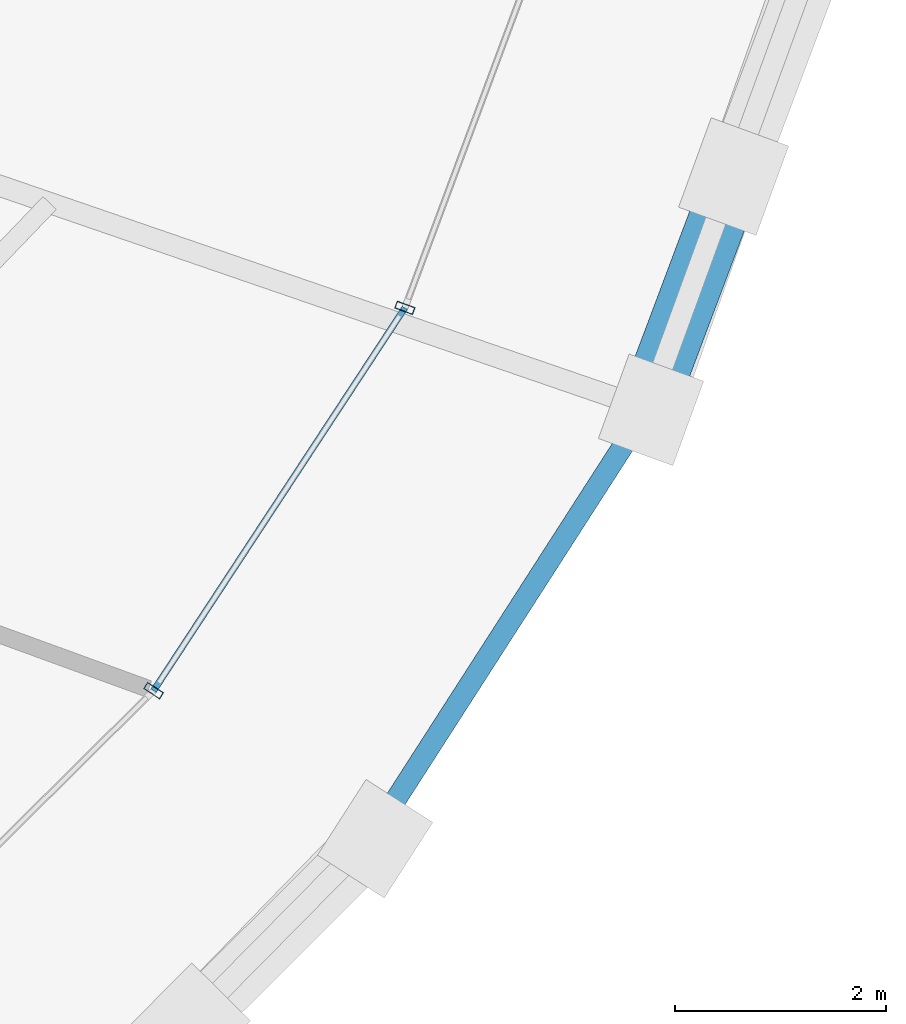
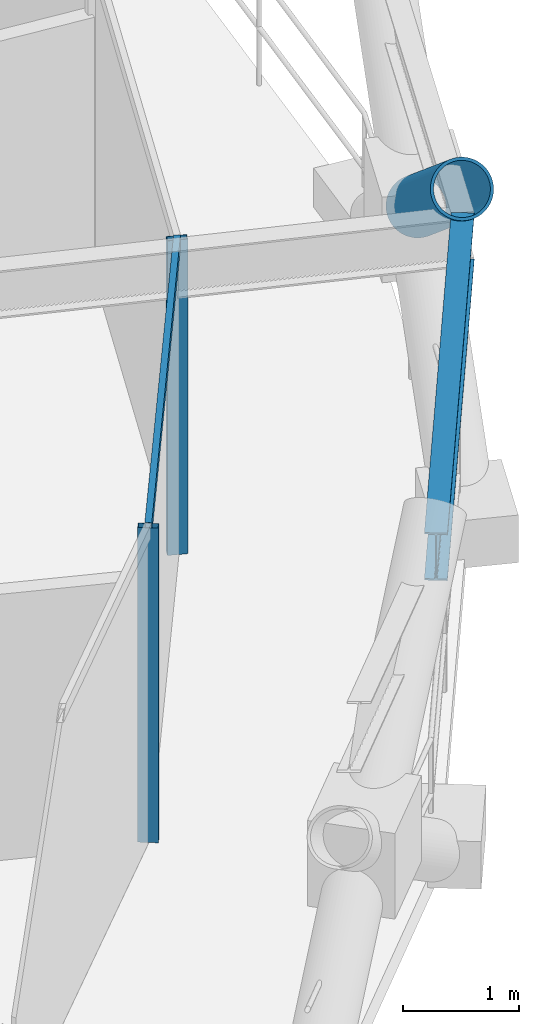
# One storey, part 9 of 19: 4 members, 1 beam, 1 element without a shape of its own.
"""IFC4 building model written with IfcOpenShell, lengths in metres."""

import ifcopenshell
import ifcopenshell.guid

model = None  # the IFC model being written
_history = None  # IfcOwnerHistory: only IFC2X3 demands one
_inside = {}  # id of a spatial element -> (the spatial element, [elements in it])
_under = {}  # id of a project, library or spatial element -> (it, [spatial elements below it])
_declared = {}  # id of a project -> (the project, [libraries it declares])
_typed = {}  # id of a type object -> (the type object, [elements of that type])
_made_of = {}  # id of a material, layer set ... -> (it, [elements and type objects made of it])


def new_model(schema):
    """Start an empty IFC model of exactly this schema.

    Asked for "IFC4X3", IfcOpenShell would pick the latest addendum, in which some entities
    have other attributes; the version numbers below select the first issue.
    IFC2X3 requires an IfcOwnerHistory on every rooted entity: one is made here for all.
    """
    global model, _history
    if schema == "IFC4X3":
        model = ifcopenshell.file(schema_version=(4, 3, 0, 0))
    else:
        model = ifcopenshell.file(schema=schema)
    _inside.clear()
    _under.clear()
    _declared.clear()
    _typed.clear()
    _made_of.clear()
    _history = None
    if model.schema == "IFC2X3":
        org = make("IfcOrganization", Name="unknown")
        user = make(
            "IfcPersonAndOrganization",
            ThePerson=make("IfcPerson", FamilyName="unknown"),
            TheOrganization=org,
        )
        app = make(
            "IfcApplication",
            ApplicationDeveloper=org,
            Version="unknown",
            ApplicationFullName="unknown",
            ApplicationIdentifier="unknown",
        )
        _history = make(
            "IfcOwnerHistory",
            OwningUser=user,
            OwningApplication=app,
            ChangeAction="ADDED",
            CreationDate=0,
        )
    return model


def make(cls, **values):
    """One entity of the class cls with the attributes given. An attribute that is None is left unset."""
    return model.create_entity(
        cls, **{name: value for name, value in values.items() if value is not None}
    )


def rooted(cls, **values):
    """An entity with a GlobalId (a new one), such as an element, a storey or a relation."""
    return make(cls, GlobalId=ifcopenshell.guid.new(), OwnerHistory=_history, **values)


def si_unit(unit_type, name, prefix=None):
    """IfcSIUnit, for example si_unit("LENGTHUNIT", "METRE", prefix="MILLI")."""
    return make("IfcSIUnit", UnitType=unit_type, Prefix=prefix, Name=name)


def assignment(units):
    """IfcUnitAssignment: the units of a project."""
    return None if units is None else make("IfcUnitAssignment", Units=units)


def point(xyz):
    """IfcCartesianPoint."""
    return None if xyz is None else make("IfcCartesianPoint", Coordinates=xyz)


def direction(xyz):
    """IfcDirection."""
    return None if xyz is None else make("IfcDirection", DirectionRatios=xyz)


def frame(location, z_axis=None, x_axis=None):
    """IfcAxis2Placement3D, a coordinate frame: its origin and axes. An axis left out is left unset."""
    return make(
        "IfcAxis2Placement3D",
        Location=point(location),
        Axis=direction(z_axis),
        RefDirection=direction(x_axis),
    )


def frame_2d(location, x_axis=None):
    """IfcAxis2Placement2D, a coordinate frame in the plane: its origin and x axis."""
    return make(
        "IfcAxis2Placement2D", Location=point(location), RefDirection=direction(x_axis)
    )


def origin():
    """The frame at (0, 0, 0) with its axes left unset."""
    return frame((0.0, 0.0, 0.0))


def origin_2d():
    """The frame at (0, 0) in the plane with its x axis left unset."""
    return frame_2d((0.0, 0.0))


def place(relative_to, where):
    """IfcLocalPlacement: puts the frame where relative to a parent placement (None: the world)."""
    return make(
        "IfcLocalPlacement", PlacementRelTo=relative_to, RelativePlacement=where
    )


def context(
    kind, dimensions, precision=None, world=None, true_north=None, identifier=None
):
    """IfcGeometricRepresentationContext, for example the 3D "Model" context."""
    return make(
        "IfcGeometricRepresentationContext",
        ContextIdentifier=identifier,
        ContextType=kind,
        CoordinateSpaceDimension=dimensions,
        Precision=precision,
        WorldCoordinateSystem=world,
        TrueNorth=true_north,
    )


def subcontext(parent, identifier, kind, view, scale=None):
    """IfcGeometricRepresentationSubContext, for example "Body" below "Model"."""
    return make(
        "IfcGeometricRepresentationSubContext",
        ContextIdentifier=identifier,
        ContextType=kind,
        ParentContext=parent,
        TargetScale=scale,
        TargetView=view,
    )


def project(units=None, contexts=None):
    """IfcProject with its units and contexts."""
    return rooted(
        "IfcProject",
        Name="project",
        RepresentationContexts=contexts,
        UnitsInContext=assignment(units),
    )


def spatial(cls, under=None, at=None, **own):
    """A site, building, storey or space (cls), placed at a placement, below another one or the project."""
    s = rooted(cls, ObjectPlacement=at, **own)
    if under is not None:
        _under.setdefault(under.id(), (under, []))[1].append(s)
    return s


def profile(cls, at=None, kind="AREA", **sizes):
    """A parametric profile (cls). Its sizes go by their IFC names, for example OverallWidth=200.0."""
    return make(cls, ProfileType=kind, Position=at, **sizes)


def hollow_rectangle(**sizes):
    """IfcRectangleHollowProfileDef."""
    return profile("IfcRectangleHollowProfileDef", **sizes)


def hollow_circle(**sizes):
    """IfcCircleHollowProfileDef."""
    return profile("IfcCircleHollowProfileDef", **sizes)


def i_section(**sizes):
    """IfcIShapeProfileDef."""
    return profile("IfcIShapeProfileDef", **sizes)


def extrude(swept, where, along, depth):
    """IfcExtrudedAreaSolid: the profile swept, set in the frame where, extruded along a direction by depth."""
    return make(
        "IfcExtrudedAreaSolid",
        SweptArea=swept,
        Position=where,
        ExtrudedDirection=direction(along),
        Depth=depth,
    )


def shape(context_of_items, identifier, shape_type, items):
    """IfcShapeRepresentation: the items that make up one representation, for example the "Body"."""
    return make(
        "IfcShapeRepresentation",
        ContextOfItems=context_of_items,
        RepresentationIdentifier=identifier,
        RepresentationType=shape_type,
        Items=items,
    )


def material(Name=None, Category=None):
    """IfcMaterial."""
    return make("IfcMaterial", Name=Name, Category=Category)


def layer(
    of_material, thickness, ventilated=None, Name=None, Category=None, Priority=None
):
    """IfcMaterialLayer: one layer of a wall or slab, of a material (None: an air gap)."""
    return make(
        "IfcMaterialLayer",
        Material=of_material,
        LayerThickness=thickness,
        IsVentilated=ventilated,
        Name=Name,
        Category=Category,
        Priority=Priority,
    )


def layer_set(layers, Name=None):
    """IfcMaterialLayerSet."""
    return make("IfcMaterialLayerSet", MaterialLayers=layers, LayerSetName=Name)


def material_profile(
    of_material, cross_section, Name=None, Category=None, Priority=None
):
    """IfcMaterialProfile: a cross section and its material."""
    return make(
        "IfcMaterialProfile",
        Name=Name,
        Material=of_material,
        Profile=cross_section,
        Priority=Priority,
        Category=Category,
    )


def profile_set(profiles, Name=None, composite=None):
    """IfcMaterialProfileSet."""
    return make(
        "IfcMaterialProfileSet",
        Name=Name,
        MaterialProfiles=profiles,
        CompositeProfile=composite,
    )


def made_of(thing, what):
    """Note that an element or type object is made of a material, layer set ...; save() writes the relation."""
    if what is not None:
        _made_of.setdefault(what.id(), (what, []))[1].append(thing)
    return thing


def type_object(cls, material=None, **own):
    """A type object (cls), such as IfcWallType, which elements share."""
    return made_of(rooted(cls, **own), material)


def element(
    cls,
    number,
    at=None,
    inside=None,
    cuts=None,
    type_object=None,
    material=None,
    context=None,
    identifier="Body",
    shape_type=None,
    held_by="IfcProductDefinitionShape",
    body=None,
    shapes=None,
    **own,
):
    """One element of the class cls, such as IfcWall. Its Tag is "e" and its number.

    at: its placement. inside: the storey or other place that contains it. cuts: it is an
    opening in that element (IfcRelVoidsElement). A single representation is given by context,
    identifier, shape_type and body (its items); several are given by shapes. held_by: the class
    of the entity that holds the representations. save() writes the other relations.
    """
    e = rooted(cls, Tag="e%d" % number, ObjectPlacement=at, **own)
    if body is not None:
        shapes = [shape(context, identifier, shape_type, body)]
    if shapes is not None:
        e.Representation = make(held_by, Representations=shapes)
    if inside is not None:
        _inside.setdefault(inside.id(), (inside, []))[1].append(e)
    if cuts is not None:
        rooted(
            "IfcRelVoidsElement", RelatingBuildingElement=cuts, RelatedOpeningElement=e
        )
    if type_object is not None:
        _typed.setdefault(type_object.id(), (type_object, []))[1].append(e)
    return made_of(e, material)


def aggregate(whole, parts):
    """IfcRelAggregates: a whole, such as a stair, and the parts it consists of."""
    return rooted("IfcRelAggregates", RelatingObject=whole, RelatedObjects=parts)


def save(model, path):
    """Write the relations noted so far, then the file.

    IfcRelAggregates (storeys below a building ...), IfcRelContainedInSpatialStructure (elements
    in a storey), IfcRelDefinesByType, IfcRelAssociatesMaterial and IfcRelDeclares: one each for
    every whole, place, type object, material and project.
    """
    for whole, parts in _under.values():
        aggregate(whole, parts)
    for where, things in _inside.values():
        rooted(
            "IfcRelContainedInSpatialStructure",
            RelatedElements=things,
            RelatingStructure=where,
        )
    for kind, things in _typed.values():
        rooted("IfcRelDefinesByType", RelatedObjects=things, RelatingType=kind)
    for what, things in _made_of.values():
        rooted("IfcRelAssociatesMaterial", RelatedObjects=things, RelatingMaterial=what)
    for by, libraries in _declared.values():
        rooted("IfcRelDeclares", RelatingContext=by, RelatedDefinitions=libraries)
    model.write(path)


model = new_model("IFC4")

# Units and contexts
model_context = context("Model", 3, precision=1e-05, world=origin(), true_north=direction((0.0, 1.0)))
body_context = subcontext(model_context, "Body", "Model", "MODEL_VIEW")
ifc_project = project(units=[si_unit("LENGTHUNIT", "METRE"), si_unit("AREAUNIT", "SQUARE_METRE"), si_unit("VOLUMEUNIT", "CUBIC_METRE"), si_unit("PLANEANGLEUNIT", "RADIAN"), si_unit("MASSUNIT", "GRAM", prefix="KILO")], contexts=[model_context])

# Site, building, storey
site_placement = place(None, origin())
site = spatial("IfcSite", under=ifc_project, at=site_placement, CompositionType="ELEMENT")
building_placement = place(site_placement, origin())
building = spatial("IfcBuilding", under=site, at=building_placement, Name="Veldorina Hangang Commons", CompositionType="ELEMENT")
storey_placement = place(building_placement, frame((0.0, 0.0, 156.800048828125)))
storey = spatial("IfcBuildingStorey", under=building, at=storey_placement, Name="L40", CompositionType="ELEMENT", Elevation=156.800048828125)

# Beam
ifc_material_1 = material(Name="Steel SM420-TMC", Category="steel")
ifc_material_profile_1 = material_profile(ifc_material_1, i_section(OverallWidth=0.199951171875, OverallDepth=0.5, WebThickness=0.010009765625, FlangeThickness=0.01611328125, FilletRadius=0.01611328125, at=origin_2d()), Name="H-500x200x10x16")
ifc_profile_set_1 = profile_set([ifc_material_profile_1], Name="Steel SM420-TMC")
beam_type = type_object("IfcBeamType", Name="BM-RB500", PredefinedType="BEAM", material=ifc_profile_set_1)
beam_placement = place(storey_placement, frame((55.443359375, 10.979248046875, 3.099853515625), z_axis=(0.540883090356, 0.841097784188, 0.0), x_axis=(-0.841097784188, 0.540883090356, 0.0)))
element("IfcBeam", 1, at=beam_placement, inside=storey, type_object=beam_type, Name="L40 perimeter hoop ring beam 29", PredefinedType="BEAM", context=body_context, shape_type="SweptSolid", body=[
    extrude(i_section(OverallWidth=0.199951171875, OverallDepth=0.5, WebThickness=0.010009765625, FlangeThickness=0.01611328125, FilletRadius=0.01611328125, at=origin_2d()), origin(), (0.0, 0.0, 1.0), 4.817626953125),
])

# Curtain wall, members
ifc_material_2 = material(Name="Glass Low-E Triple IGU", Category="glass")
ifc_layer = layer(ifc_material_2, 0.179931640625)
ifc_layer_set = layer_set([ifc_layer], Name="Glass Low-E Triple IGU")
curtain_wall_type = type_object("IfcCurtainWallType", Name="CW-SYS-Z2", PredefinedType="NOTDEFINED", material=ifc_layer_set)
curtain_wall_placement = place(storey_placement, origin())
curtain_wall = element("IfcCurtainWall", 2, at=curtain_wall_placement, inside=storey, type_object=curtain_wall_type, Name="L40 unitised curtain wall CW-L40-R2", PredefinedType="NOTDEFINED")
ifc_material_3 = material(Name="Aluminium Anodized AA6063-T6", Category="aluminium")
ifc_material_profile_2 = material_profile(ifc_material_3, hollow_rectangle(XDim=0.070068359375, YDim=0.179931640625, WallThickness=0.00390625, at=origin_2d()), Name="ALU-RHS-180x70x4")
ifc_profile_set_2 = profile_set([ifc_material_profile_2], Name="Aluminium Anodized AA6063-T6")
member_type_1 = type_object("IfcMemberType", Name="CW-MUL-180", PredefinedType="MULLION", material=ifc_profile_set_2)
member_1_placement = place(storey_placement, frame((53.381103515625, 12.364013671875, 0.0), z_axis=(0.0, 0.0, 1.0), x_axis=(0.548658075987, 0.836046838194, 0.0)))
member_1 = element("IfcMember", 3, at=member_1_placement, type_object=member_type_1, Name="CW-L40-R2 vertical mullion 2", PredefinedType="MULLION", context=body_context, shape_type="SweptSolid", body=[
    extrude(hollow_rectangle(XDim=0.070068359375, YDim=0.179931640625, WallThickness=0.00390625, at=origin_2d()), origin(), (0.0, 0.0, 1.0), 3.31005859375),
])
member_2_placement = place(storey_placement, frame((55.757568359375, 15.98486328125, 0.0), z_axis=(0.0, 0.0, 1.0), x_axis=(0.349013692334, 0.937117624721, 0.0)))
member_2 = element("IfcMember", 4, at=member_2_placement, type_object=member_type_1, Name="CW-L40-R2 vertical mullion 3", PredefinedType="MULLION", context=body_context, shape_type="SweptSolid", body=[
    extrude(hollow_rectangle(XDim=0.070068359375, YDim=0.179931640625, WallThickness=0.00390625, at=origin_2d()), origin(), (0.0, 0.0, 1.0), 3.31005859375),
])
ifc_material_profile_3 = material_profile(ifc_material_3, hollow_rectangle(XDim=0.06005859375, YDim=0.139892578125, WallThickness=0.00341796875, at=origin_2d()), Name="ALU-RHS-140x60x3.5")
ifc_profile_set_3 = profile_set([ifc_material_profile_3], Name="Aluminium Anodized AA6063-T6")
member_type_2 = type_object("IfcMemberType", Name="CW-TRN-140", PredefinedType="USERDEFINED", material=ifc_profile_set_3)
member_3_placement = place(storey_placement, frame((53.381103515625, 12.364013671875, 3.27001953125), z_axis=(0.548701998109, 0.836018012528, 0.0), x_axis=(-0.836018012528, 0.548701998109, 0.0)))
member_3 = element("IfcMember", 5, at=member_3_placement, type_object=member_type_2, Name="CW-L40-R2 facet 2 transom 1", ObjectType="TRANSOM", PredefinedType="USERDEFINED", context=body_context, shape_type="SweptSolid", body=[
    extrude(hollow_rectangle(XDim=0.06005859375, YDim=0.139892578125, WallThickness=0.00341796875, at=origin_2d()), origin(), (0.0, 0.0, 1.0), 4.3310546875),
])
aggregate(curtain_wall, [member_1, member_2, member_3])

# Member
ifc_material_profile_4 = material_profile(ifc_material_1, hollow_circle(Radius=0.27490234375, WallThickness=0.028076171875, at=origin_2d()), Name="CHS-550x28")
ifc_profile_set_4 = profile_set([ifc_material_profile_4], Name="Steel SM420-TMC")
member_type_3 = type_object("IfcMemberType", Name="DG-CHS550", PredefinedType="BRACE", material=ifc_profile_set_4)
member_4_placement = place(storey_placement, frame((58.866943359375, 17.22607421875, 1.80126953125), z_axis=(-0.278899315092, -0.742546694567, 0.608965991192), x_axis=(0.936144891663, -0.351614478957, 0.0)))
element("IfcMember", 6, at=member_4_placement, inside=storey, type_object=member_type_3, Name="L40 split perimeter diagrid upper brace 31", PredefinedType="BRACE", context=body_context, shape_type="SweptSolid", body=[
    extrude(hollow_circle(Radius=0.27490234375, WallThickness=0.028076171875, at=origin_2d()), origin(), (0.0, 0.0, 1.0), 2.95361328125),
])

save(model, "model.ifc")
